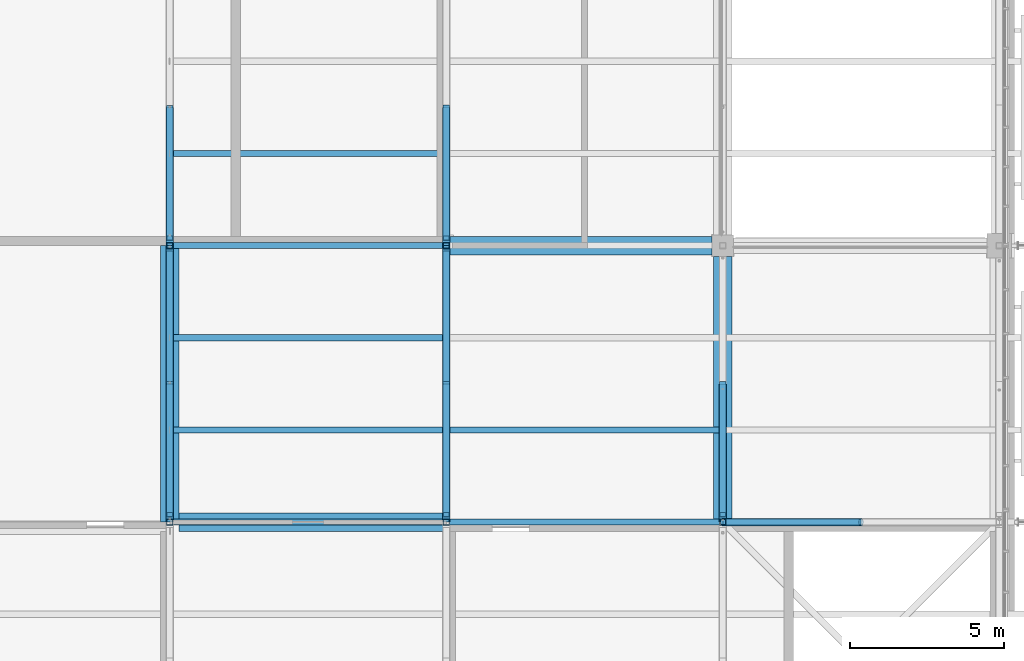
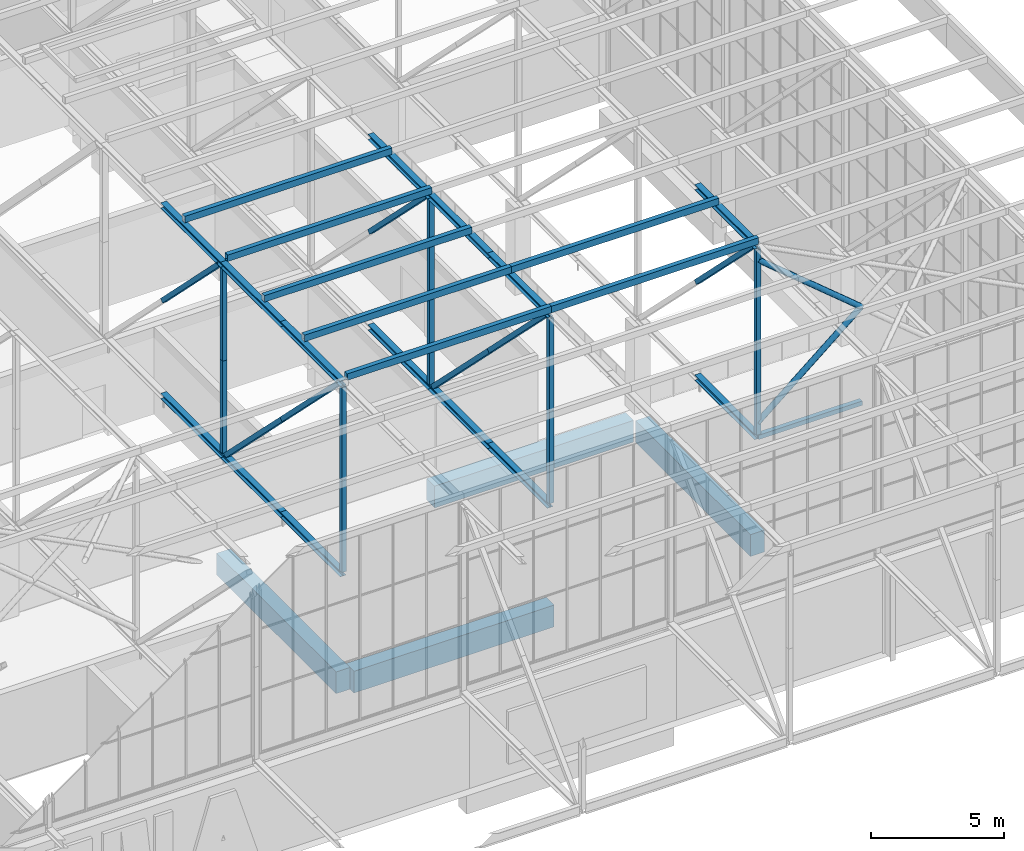
# One storey, part 87 of 646: 41 members, 4 beams.
"""IFC4 building model written with IfcOpenShell, lengths in metres."""

from ifc_helpers import new_model, si_unit, direction, frame, origin, origin_2d, place, context, subcontext, project, spatial, rectangle, hollow_rectangle, hollow_circle, i_section, extrude, material, material_profile, profile_set, type_object, element, save


model = new_model("IFC4")

# Units and contexts
model_context = context("Model", 3, precision=1e-05, world=origin(), true_north=direction((0.0, 1.0)))
body_context = subcontext(model_context, "Body", "Model", "MODEL_VIEW")
ifc_project = project(units=[si_unit("LENGTHUNIT", "METRE"), si_unit("AREAUNIT", "SQUARE_METRE"), si_unit("VOLUMEUNIT", "CUBIC_METRE"), si_unit("PLANEANGLEUNIT", "RADIAN"), si_unit("MASSUNIT", "GRAM", prefix="KILO")], contexts=[model_context])

# Site, building, storey
site_placement = place(None, origin())
site = spatial("IfcSite", under=ifc_project, at=site_placement, CompositionType="ELEMENT")
building_placement = place(site_placement, origin())
building = spatial("IfcBuilding", under=site, at=building_placement, Name="Silverbay Arena", CompositionType="ELEMENT")
storey_placement = place(building_placement, frame((0.0, 0.0, 33.5)))
storey = spatial("IfcBuildingStorey", under=building, at=storey_placement, Name="L05", CompositionType="ELEMENT", Elevation=33.5)

# Members
ifc_material_1 = material(Name="Steel S355", Category="steel")
ifc_material_profile_1 = material_profile(ifc_material_1, hollow_rectangle(XDim=0.199951171875, YDim=0.199951171875, WallThickness=0.008056640625, at=origin_2d()), Name="SHS 200x200x8")
ifc_profile_set_1 = profile_set([ifc_material_profile_1], Name="Steel S355")
member_type_1 = type_object("IfcMemberType", Name="Bracing strut SHS 200x200x8", PredefinedType="STRUT", material=ifc_profile_set_1)
member_1_placement = place(storey_placement, frame((198.0, 27.0, 4.126953125), z_axis=(1.0, 0.0, 0.0), x_axis=(0.0, 1.0, 0.0)))
element("IfcMember", 1, at=member_1_placement, inside=storey, type_object=member_type_1, Name="ROOF BRACING strut 23-24 line 03a", PredefinedType="STRUT", context=body_context, shape_type="SweptSolid", body=[
    extrude(hollow_rectangle(XDim=0.199951171875, YDim=0.199951171875, WallThickness=0.008056640625, at=origin_2d()), origin(), (0.0, 0.0, 1.0), 4.5),
])
ifc_material_2 = material(Name="Steel S355", Category="steel")
ifc_material_profile_2 = material_profile(ifc_material_2, i_section(OverallWidth=0.254638671875, OverallDepth=0.254150390625, WebThickness=0.008544921875, FlangeThickness=0.01416015625, at=origin_2d()), Name="UC 254x254x73")
ifc_profile_set_2 = profile_set([ifc_material_profile_2], Name="Steel S355")
member_type_2 = type_object("IfcMemberType", Name="Long-span bottom chord UC 254x254x73", PredefinedType="CHORD", material=ifc_profile_set_2)
for number, where, z_axis, x_axis, name in (
    (2, (180.0, 27.0, 4.126953125), (0.0, 1.0, 0.0), (-1.0, 0.0, 0.0), "ROOF TRUSS 21 bottom chord 03a"),
    (3, (180.0, 31.5, 4.126953125), (0.0, 1.0, 0.0), (-1.0, 0.0, 0.0), "ROOF TRUSS 21 bottom chord 03b"),
    (4, (180.0, 36.0, 4.126953125), (0.0, 1.0, 0.0), (-1.0, 0.0, 0.0), "ROOF TRUSS 21 bottom chord 04a"),
):
    element("IfcMember", number, at=place(storey_placement, frame(where, z_axis=z_axis, x_axis=x_axis)), inside=storey, type_object=member_type_2, Name=name, PredefinedType="CHORD", context=body_context, shape_type="SweptSolid", body=[
        extrude(i_section(OverallWidth=0.254638671875, OverallDepth=0.254150390625, WebThickness=0.008544921875, FlangeThickness=0.01416015625, at=origin_2d()), origin(), (0.0, 0.0, 1.0), 4.5),
    ])
ifc_material_3 = material(Name="Steel S355", Category="steel")
ifc_material_profile_3 = material_profile(ifc_material_3, i_section(OverallWidth=0.254638671875, OverallDepth=0.254150390625, WebThickness=0.008544921875, FlangeThickness=0.01416015625, at=origin_2d()), Name="UC 254x254x73")
ifc_profile_set_3 = profile_set([ifc_material_profile_3], Name="Steel S355")
member_type_3 = type_object("IfcMemberType", Name="Long-span top chord UC 254x254x73", PredefinedType="CHORD", material=ifc_profile_set_3)
for number, where, z_axis, x_axis, name in (
    (5, (180.0, 27.0, 12.873046875), (0.0, 1.0, 0.0), (-1.0, 0.0, 0.0), "ROOF TRUSS 21 top chord 03a"),
    (6, (180.0, 31.5, 12.873046875), (0.0, 1.0, 0.0), (-1.0, 0.0, 0.0), "ROOF TRUSS 21 top chord 03b"),
    (7, (180.0, 36.0, 12.873046875), (0.0, 1.0, 0.0), (-1.0, 0.0, 0.0), "ROOF TRUSS 21 top chord 04a"),
):
    element("IfcMember", number, at=place(storey_placement, frame(where, z_axis=z_axis, x_axis=x_axis)), inside=storey, type_object=member_type_3, Name=name, PredefinedType="CHORD", context=body_context, shape_type="SweptSolid", body=[
        extrude(i_section(OverallWidth=0.254638671875, OverallDepth=0.254150390625, WebThickness=0.008544921875, FlangeThickness=0.01416015625, at=origin_2d()), origin(), (0.0, 0.0, 1.0), 4.5),
    ])
ifc_material_4 = material(Name="Steel S355", Category="steel")
ifc_material_profile_4 = material_profile(ifc_material_4, hollow_rectangle(XDim=0.199951171875, YDim=0.199951171875, WallThickness=0.008056640625, at=origin_2d()), Name="SHS 200x200x8")
ifc_profile_set_4 = profile_set([ifc_material_profile_4], Name="Steel S355")
member_type_4 = type_object("IfcMemberType", Name="Long-span truss diagonal SHS 200x200x8", PredefinedType="BRACE", material=ifc_profile_set_4)
for number, where, z_axis, x_axis, name in (
    (8, (180.0, 27.24560546875, 12.745849609375), (0.0, 0.70781724692, -0.706395600894), (-1.0, 0.0, 0.0), "ROOF TRUSS 21 diagonal 03a"),
    (9, (180.0, 31.5, 8.5), (0.0, 0.70781724692, -0.706395600894), (-1.0, 0.0, 0.0), "ROOF TRUSS 21 diagonal 03b"),
):
    element("IfcMember", number, at=place(storey_placement, frame(where, z_axis=z_axis, x_axis=x_axis)), inside=storey, type_object=member_type_4, Name=name, PredefinedType="BRACE", context=body_context, shape_type="SweptSolid", body=[
        extrude(hollow_rectangle(XDim=0.199951171875, YDim=0.199951171875, WallThickness=0.008056640625, at=origin_2d()), origin(), (0.0, 0.0, 1.0), 6.010498046875),
    ])
member_2_placement = place(storey_placement, frame((180.0, 36.24560546875, 12.745849609375), z_axis=(0.0, 0.706781281828, -0.707432130778), x_axis=(-1.0, 0.0, 0.0)))
element("IfcMember", 10, at=member_2_placement, inside=storey, type_object=member_type_4, Name="ROOF TRUSS 21 diagonal 04a", PredefinedType="BRACE", context=body_context, shape_type="SweptSolid", body=[
    extrude(hollow_rectangle(XDim=0.199951171875, YDim=0.199951171875, WallThickness=0.008056640625, at=origin_2d()), origin(), (0.0, 0.0, 1.0), 6.001708984375),
])
ifc_material_5 = material(Name="Steel S355", Category="steel")
ifc_material_profile_5 = material_profile(ifc_material_5, hollow_rectangle(XDim=0.199951171875, YDim=0.199951171875, WallThickness=0.008056640625, at=origin_2d()), Name="SHS 200x200x8")
ifc_profile_set_5 = profile_set([ifc_material_profile_5], Name="Steel S355")
member_type_5 = type_object("IfcMemberType", Name="Long-span truss vertical SHS 200x200x8", PredefinedType="STRUT", material=ifc_profile_set_5)
for number, where, z_axis, x_axis, name in (
    (11, (180.0, 27.0, 4.254150390625), (0.0, 0.0, 1.0), (1.0, 0.0, 0.0), "ROOF TRUSS 21 vertical 03a"),
    (12, (180.0, 27.0, 8.5), (0.0, 0.0, 1.0), (1.0, 0.0, 0.0), "ROOF TRUSS 21 vertical 03b"),
    (13, (180.0, 36.0, 4.254150390625), (0.0, 0.0, 1.0), (1.0, 0.0, 0.0), "ROOF TRUSS 21 vertical 04a"),
    (14, (180.0, 36.0, 8.5), (0.0, 0.0, 1.0), (1.0, 0.0, 0.0), "ROOF TRUSS 21 vertical 04b"),
):
    element("IfcMember", number, at=place(storey_placement, frame(where, z_axis=z_axis, x_axis=x_axis)), inside=storey, type_object=member_type_5, Name=name, PredefinedType="STRUT", context=body_context, shape_type="SweptSolid", body=[
        extrude(hollow_rectangle(XDim=0.199951171875, YDim=0.199951171875, WallThickness=0.008056640625, at=origin_2d()), origin(), (0.0, 0.0, 1.0), 4.245849609375),
    ])
ifc_material_6 = material(Name="Steel S355", Category="steel")
ifc_material_profile_6 = material_profile(ifc_material_6, i_section(OverallWidth=0.254638671875, OverallDepth=0.254150390625, WebThickness=0.008544921875, FlangeThickness=0.01416015625, at=origin_2d()), Name="UC 254x254x73")
ifc_profile_set_6 = profile_set([ifc_material_profile_6], Name="Steel S355")
member_type_6 = type_object("IfcMemberType", Name="Medium-span bottom chord UC 254x254x73", PredefinedType="CHORD", material=ifc_profile_set_6)
for number, where, z_axis, x_axis, name in (
    (15, (189.0, 27.0, 4.126953125), (0.0, 1.0, 0.0), (-1.0, 0.0, 0.0), "ROOF TRUSS 22 bottom chord 03a"),
    (16, (189.0, 31.5, 4.126953125), (0.0, 1.0, 0.0), (-1.0, 0.0, 0.0), "ROOF TRUSS 22 bottom chord 03b"),
    (17, (189.0, 36.0, 4.126953125), (0.0, 1.0, 0.0), (-1.0, 0.0, 0.0), "ROOF TRUSS 22 bottom chord 04a"),
):
    element("IfcMember", number, at=place(storey_placement, frame(where, z_axis=z_axis, x_axis=x_axis)), inside=storey, type_object=member_type_6, Name=name, PredefinedType="CHORD", context=body_context, shape_type="SweptSolid", body=[
        extrude(i_section(OverallWidth=0.254638671875, OverallDepth=0.254150390625, WebThickness=0.008544921875, FlangeThickness=0.01416015625, at=origin_2d()), origin(), (0.0, 0.0, 1.0), 4.5),
    ])
ifc_material_7 = material(Name="Steel S355", Category="steel")
ifc_material_profile_7 = material_profile(ifc_material_7, i_section(OverallWidth=0.254638671875, OverallDepth=0.254150390625, WebThickness=0.008544921875, FlangeThickness=0.01416015625, at=origin_2d()), Name="UC 254x254x73")
ifc_profile_set_7 = profile_set([ifc_material_profile_7], Name="Steel S355")
member_type_7 = type_object("IfcMemberType", Name="Medium-span top chord UC 254x254x73", PredefinedType="CHORD", material=ifc_profile_set_7)
for number, where, z_axis, x_axis, name in (
    (18, (189.0, 27.0, 12.873046875), (0.0, 1.0, 0.0), (-1.0, 0.0, 0.0), "ROOF TRUSS 22 top chord 03a"),
    (19, (189.0, 31.5, 12.873046875), (0.0, 1.0, 0.0), (-1.0, 0.0, 0.0), "ROOF TRUSS 22 top chord 03b"),
    (20, (189.0, 36.0, 12.873046875), (0.0, 1.0, 0.0), (-1.0, 0.0, 0.0), "ROOF TRUSS 22 top chord 04a"),
):
    element("IfcMember", number, at=place(storey_placement, frame(where, z_axis=z_axis, x_axis=x_axis)), inside=storey, type_object=member_type_7, Name=name, PredefinedType="CHORD", context=body_context, shape_type="SweptSolid", body=[
        extrude(i_section(OverallWidth=0.254638671875, OverallDepth=0.254150390625, WebThickness=0.008544921875, FlangeThickness=0.01416015625, at=origin_2d()), origin(), (0.0, 0.0, 1.0), 4.5),
    ])
ifc_material_8 = material(Name="Steel S355", Category="steel")
ifc_material_profile_8 = material_profile(ifc_material_8, hollow_rectangle(XDim=0.199951171875, YDim=0.199951171875, WallThickness=0.008056640625, at=origin_2d()), Name="SHS 200x200x8")
ifc_profile_set_8 = profile_set([ifc_material_profile_8], Name="Steel S355")
member_type_8 = type_object("IfcMemberType", Name="Medium-span truss diagonal SHS 200x200x8", PredefinedType="BRACE", material=ifc_profile_set_8)
for number, where, z_axis, x_axis, name in (
    (21, (189.0, 27.24560546875, 12.745849609375), (0.0, 0.70781724692, -0.706395600894), (-1.0, 0.0, 0.0), "ROOF TRUSS 22 diagonal 03a"),
    (22, (189.0, 31.5, 8.5), (0.0, 0.70781724692, -0.706395600894), (-1.0, 0.0, 0.0), "ROOF TRUSS 22 diagonal 03b"),
    (23, (189.0, 36.24560546875, 12.745849609375), (0.0, 0.70781724692, -0.706395600894), (-1.0, 0.0, 0.0), "ROOF TRUSS 22 diagonal 04a"),
):
    element("IfcMember", number, at=place(storey_placement, frame(where, z_axis=z_axis, x_axis=x_axis)), inside=storey, type_object=member_type_8, Name=name, PredefinedType="BRACE", context=body_context, shape_type="SweptSolid", body=[
        extrude(hollow_rectangle(XDim=0.199951171875, YDim=0.199951171875, WallThickness=0.008056640625, at=origin_2d()), origin(), (0.0, 0.0, 1.0), 6.010498046875),
    ])
ifc_material_9 = material(Name="Steel S355", Category="steel")
ifc_material_profile_9 = material_profile(ifc_material_9, hollow_rectangle(XDim=0.199951171875, YDim=0.199951171875, WallThickness=0.008056640625, at=origin_2d()), Name="SHS 200x200x8")
ifc_profile_set_9 = profile_set([ifc_material_profile_9], Name="Steel S355")
member_type_9 = type_object("IfcMemberType", Name="Medium-span truss vertical SHS 200x200x8", PredefinedType="STRUT", material=ifc_profile_set_9)
for number, where, z_axis, x_axis, name in (
    (24, (189.0, 27.0, 4.254150390625), (0.0, 0.0, 1.0), (1.0, 0.0, 0.0), "ROOF TRUSS 22 vertical 03a"),
    (25, (189.0, 27.0, 8.5), (0.0, 0.0, 1.0), (1.0, 0.0, 0.0), "ROOF TRUSS 22 vertical 03b"),
    (26, (189.0, 36.0, 4.254150390625), (0.0, 0.0, 1.0), (1.0, 0.0, 0.0), "ROOF TRUSS 22 vertical 04a"),
    (27, (189.0, 36.0, 8.5), (0.0, 0.0, 1.0), (1.0, 0.0, 0.0), "ROOF TRUSS 22 vertical 04b"),
):
    element("IfcMember", number, at=place(storey_placement, frame(where, z_axis=z_axis, x_axis=x_axis)), inside=storey, type_object=member_type_9, Name=name, PredefinedType="STRUT", context=body_context, shape_type="SweptSolid", body=[
        extrude(hollow_rectangle(XDim=0.199951171875, YDim=0.199951171875, WallThickness=0.008056640625, at=origin_2d()), origin(), (0.0, 0.0, 1.0), 4.245849609375),
    ])
ifc_material_10 = material(Name="Steel S355", Category="steel")
ifc_material_profile_10 = material_profile(ifc_material_10, hollow_rectangle(XDim=0.199951171875, YDim=0.300048828125, WallThickness=0.00634765625, at=origin_2d()), Name="RHS 300x200x6.3")
ifc_profile_set_10 = profile_set([ifc_material_profile_10], Name="Steel S355")
member_type_10 = type_object("IfcMemberType", Name="Purlin RHS 300x200x6.3", PredefinedType="PURLIN", material=ifc_profile_set_10)
member_3_placement = place(storey_placement, frame((180.125, 27.0, 13.14990234375), z_axis=(1.0, 0.0, 0.0), x_axis=(0.0, 1.0, 0.0)))
element("IfcMember", 28, at=member_3_placement, inside=storey, type_object=member_type_10, Name="ROOF PURLIN 21-22 line 07", PredefinedType="PURLIN", context=body_context, shape_type="SweptSolid", body=[
    extrude(hollow_rectangle(XDim=0.199951171875, YDim=0.300048828125, WallThickness=0.00634765625, at=origin_2d()), origin(), (0.0, 0.0, 1.0), 8.875),
])
for number, where, z_axis, x_axis, name in (
    (29, (180.0, 30.0, 13.14990234375), (1.0, 0.0, 0.0), (0.0, 1.0, 0.0), "ROOF PURLIN 21-22 line 08"),
    (30, (180.0, 33.0, 13.14990234375), (1.0, 0.0, 0.0), (0.0, 1.0, 0.0), "ROOF PURLIN 21-22 line 09"),
):
    element("IfcMember", number, at=place(storey_placement, frame(where, z_axis=z_axis, x_axis=x_axis)), inside=storey, type_object=member_type_10, Name=name, PredefinedType="PURLIN", context=body_context, shape_type="SweptSolid", body=[
        extrude(hollow_rectangle(XDim=0.199951171875, YDim=0.300048828125, WallThickness=0.00634765625, at=origin_2d()), origin(), (0.0, 0.0, 1.0), 9.0),
    ])
member_4_placement = place(storey_placement, frame((180.125, 36.0, 13.14990234375), z_axis=(1.0, 0.0, 0.0), x_axis=(0.0, 1.0, 0.0)))
element("IfcMember", 31, at=member_4_placement, inside=storey, type_object=member_type_10, Name="ROOF PURLIN 21-22 line 10", PredefinedType="PURLIN", context=body_context, shape_type="SweptSolid", body=[
    extrude(hollow_rectangle(XDim=0.199951171875, YDim=0.300048828125, WallThickness=0.00634765625, at=origin_2d()), origin(), (0.0, 0.0, 1.0), 8.875),
])
for number, where, z_axis, x_axis, name in (
    (32, (180.0, 39.0, 13.14990234375), (1.0, 0.0, 0.0), (0.0, 1.0, 0.0), "ROOF PURLIN 21-22 line 11"),
    (33, (189.0, 27.0, 13.14990234375), (1.0, 0.0, 0.0), (0.0, 1.0, 0.0), "ROOF PURLIN 22-23 line 07"),
    (34, (189.0, 30.0, 13.14990234375), (1.0, 0.0, 0.0), (0.0, 1.0, 0.0), "ROOF PURLIN 22-23 line 08"),
):
    element("IfcMember", number, at=place(storey_placement, frame(where, z_axis=z_axis, x_axis=x_axis)), inside=storey, type_object=member_type_10, Name=name, PredefinedType="PURLIN", context=body_context, shape_type="SweptSolid", body=[
        extrude(hollow_rectangle(XDim=0.199951171875, YDim=0.300048828125, WallThickness=0.00634765625, at=origin_2d()), origin(), (0.0, 0.0, 1.0), 9.0),
    ])

# Beams
ifc_material_11 = material(Name="Concrete Grade C45", Category="concrete")
ifc_material_profile_11 = material_profile(ifc_material_11, rectangle(XDim=0.60009765625, YDim=1.0, at=origin_2d()), Name="RC 600x1000")
ifc_profile_set_11 = profile_set([ifc_material_profile_11], Name="Concrete Grade C45")
beam_type = type_object("IfcBeamType", Name="RC beam 600x1000", PredefinedType="BEAM", material=ifc_profile_set_11)
beam_1_placement = place(storey_placement, frame((180.300048828125, 27.0, -0.800048828125), z_axis=(1.0, 0.0, 0.0), x_axis=(0.0, 1.0, 0.0)))
element("IfcBeam", 35, at=beam_1_placement, inside=storey, type_object=beam_type, Name="Floor beam L05 010", PredefinedType="BEAM", context=body_context, shape_type="SweptSolid", body=[
    extrude(rectangle(XDim=0.60009765625, YDim=1.0, at=origin_2d()), origin(), (0.0, 0.0, 1.0), 8.699951171875),
])
beam_2_placement = place(storey_placement, frame((189.0, 36.0, -0.800048828125), z_axis=(1.0, 0.0, 0.0), x_axis=(0.0, 1.0, 0.0)))
element("IfcBeam", 36, at=beam_2_placement, inside=storey, type_object=beam_type, Name="Floor beam L05 013", PredefinedType="BEAM", context=body_context, shape_type="SweptSolid", body=[
    extrude(rectangle(XDim=0.60009765625, YDim=1.0, at=origin_2d()), origin(), (0.0, 0.0, 1.0), 8.64990234375),
])
beam_3_placement = place(storey_placement, frame((180.0, 27.0, -0.800048828125), z_axis=(0.0, 1.0, 0.0), x_axis=(-1.0, 0.0, 0.0)))
element("IfcBeam", 37, at=beam_3_placement, inside=storey, type_object=beam_type, Name="Floor beam L05 137", PredefinedType="BEAM", context=body_context, shape_type="SweptSolid", body=[
    extrude(rectangle(XDim=0.60009765625, YDim=1.0, at=origin_2d()), origin(), (0.0, 0.0, 1.0), 9.0),
])
beam_4_placement = place(storey_placement, frame((198.0, 27.0, -0.800048828125), z_axis=(0.0, 1.0, 0.0), x_axis=(-1.0, 0.0, 0.0)))
element("IfcBeam", 38, at=beam_4_placement, inside=storey, type_object=beam_type, Name="Floor beam L05 139", PredefinedType="BEAM", context=body_context, shape_type="SweptSolid", body=[
    extrude(rectangle(XDim=0.60009765625, YDim=1.0, at=origin_2d()), origin(), (0.0, 0.0, 1.0), 8.64990234375),
])

# Members
ifc_material_12 = material(Name="Steel S355", Category="steel")
ifc_material_profile_12 = material_profile(ifc_material_12, i_section(OverallWidth=0.254638671875, OverallDepth=0.254150390625, WebThickness=0.008544921875, FlangeThickness=0.01416015625, at=origin_2d()), Name="UC 254x254x73")
ifc_profile_set_12 = profile_set([ifc_material_profile_12], Name="Steel S355")
member_type_11 = type_object("IfcMemberType", Name="Short-span bottom chord UC 254x254x73", PredefinedType="CHORD", material=ifc_profile_set_12)
member_5_placement = place(storey_placement, frame((198.0, 27.0, 4.126953125), z_axis=(0.0, 1.0, 0.0), x_axis=(-1.0, 0.0, 0.0)))
element("IfcMember", 39, at=member_5_placement, inside=storey, type_object=member_type_11, Name="ROOF TRUSS 23 bottom chord 03a", PredefinedType="CHORD", context=body_context, shape_type="SweptSolid", body=[
    extrude(i_section(OverallWidth=0.254638671875, OverallDepth=0.254150390625, WebThickness=0.008544921875, FlangeThickness=0.01416015625, at=origin_2d()), origin(), (0.0, 0.0, 1.0), 4.5),
])
ifc_material_13 = material(Name="Steel S355", Category="steel")
ifc_material_profile_13 = material_profile(ifc_material_13, i_section(OverallWidth=0.254638671875, OverallDepth=0.254150390625, WebThickness=0.008544921875, FlangeThickness=0.01416015625, at=origin_2d()), Name="UC 254x254x73")
ifc_profile_set_13 = profile_set([ifc_material_profile_13], Name="Steel S355")
member_type_12 = type_object("IfcMemberType", Name="Short-span top chord UC 254x254x73", PredefinedType="CHORD", material=ifc_profile_set_13)
member_6_placement = place(storey_placement, frame((198.0, 27.0, 12.873046875), z_axis=(0.0, 1.0, 0.0), x_axis=(-1.0, 0.0, 0.0)))
element("IfcMember", 40, at=member_6_placement, inside=storey, type_object=member_type_12, Name="ROOF TRUSS 23 top chord 03a", PredefinedType="CHORD", context=body_context, shape_type="SweptSolid", body=[
    extrude(i_section(OverallWidth=0.254638671875, OverallDepth=0.254150390625, WebThickness=0.008544921875, FlangeThickness=0.01416015625, at=origin_2d()), origin(), (0.0, 0.0, 1.0), 4.5),
])
ifc_material_14 = material(Name="Steel S355", Category="steel")
ifc_material_profile_14 = material_profile(ifc_material_14, hollow_rectangle(XDim=0.199951171875, YDim=0.199951171875, WallThickness=0.008056640625, at=origin_2d()), Name="SHS 200x200x8")
ifc_profile_set_14 = profile_set([ifc_material_profile_14], Name="Steel S355")
member_type_13 = type_object("IfcMemberType", Name="Short-span truss diagonal SHS 200x200x8", PredefinedType="BRACE", material=ifc_profile_set_14)
member_7_placement = place(storey_placement, frame((198.0, 27.24560546875, 12.745849609375), z_axis=(0.0, 0.70781724692, -0.706395600894), x_axis=(-1.0, 0.0, 0.0)))
element("IfcMember", 41, at=member_7_placement, inside=storey, type_object=member_type_13, Name="ROOF TRUSS 23 diagonal 03a", PredefinedType="BRACE", context=body_context, shape_type="SweptSolid", body=[
    extrude(hollow_rectangle(XDim=0.199951171875, YDim=0.199951171875, WallThickness=0.008056640625, at=origin_2d()), origin(), (0.0, 0.0, 1.0), 6.010498046875),
])
ifc_material_15 = material(Name="Steel S355", Category="steel")
ifc_material_profile_15 = material_profile(ifc_material_15, hollow_rectangle(XDim=0.199951171875, YDim=0.199951171875, WallThickness=0.008056640625, at=origin_2d()), Name="SHS 200x200x8")
ifc_profile_set_15 = profile_set([ifc_material_profile_15], Name="Steel S355")
member_type_14 = type_object("IfcMemberType", Name="Short-span truss vertical SHS 200x200x8", PredefinedType="STRUT", material=ifc_profile_set_15)
for number, where, z_axis, x_axis, name in (
    (42, (198.0, 27.0, 4.254150390625), (0.0, 0.0, 1.0), (1.0, 0.0, 0.0), "ROOF TRUSS 23 vertical 03a"),
    (43, (198.0, 27.0, 8.5), (0.0, 0.0, 1.0), (1.0, 0.0, 0.0), "ROOF TRUSS 23 vertical 03b"),
):
    element("IfcMember", number, at=place(storey_placement, frame(where, z_axis=z_axis, x_axis=x_axis)), inside=storey, type_object=member_type_14, Name=name, PredefinedType="STRUT", context=body_context, shape_type="SweptSolid", body=[
        extrude(hollow_rectangle(XDim=0.199951171875, YDim=0.199951171875, WallThickness=0.008056640625, at=origin_2d()), origin(), (0.0, 0.0, 1.0), 4.245849609375),
    ])
ifc_material_16 = material(Name="Steel S355", Category="steel")
ifc_material_profile_16 = material_profile(ifc_material_16, hollow_circle(Radius=0.122314453125, WallThickness=0.00634765625, at=origin_2d()), Name="CHS 244.5x6.3")
ifc_profile_set_16 = profile_set([ifc_material_profile_16], Name="Steel S355")
member_type_15 = type_object("IfcMemberType", Name="Vertical bracing CHS 244.5x6.3", PredefinedType="BRACE", material=ifc_profile_set_16)
for number, where, z_axis, x_axis, name in (
    (44, (198.0, 27.0, 4.754150390625), (0.768569784798, 0.0, 0.639765961814), (0.0, 1.0, 0.0), "ROOF BRACING vertical 23-24 line 03 Aa"),
    (45, (198.0, 27.0, 12.245849609375), (0.768569784798, 0.0, -0.639765961814), (0.0, 1.0, 0.0), "ROOF BRACING vertical 23-24 line 03 Ba"),
):
    element("IfcMember", number, at=place(storey_placement, frame(where, z_axis=z_axis, x_axis=x_axis)), inside=storey, type_object=member_type_15, Name=name, PredefinedType="BRACE", context=body_context, shape_type="SweptSolid", body=[
        extrude(hollow_circle(Radius=0.122314453125, WallThickness=0.00634765625, at=origin_2d()), origin(), (0.0, 0.0, 1.0), 5.85498046875),
    ])

save(model, "model.ifc")
